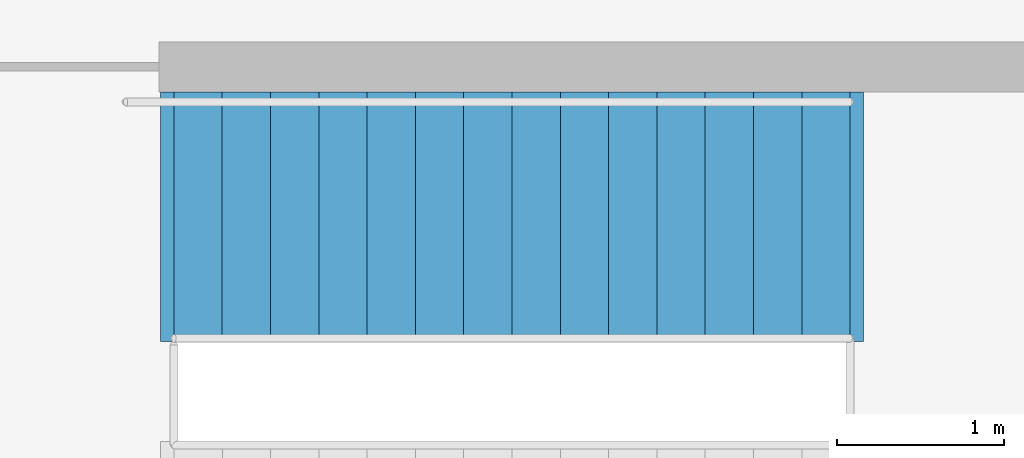
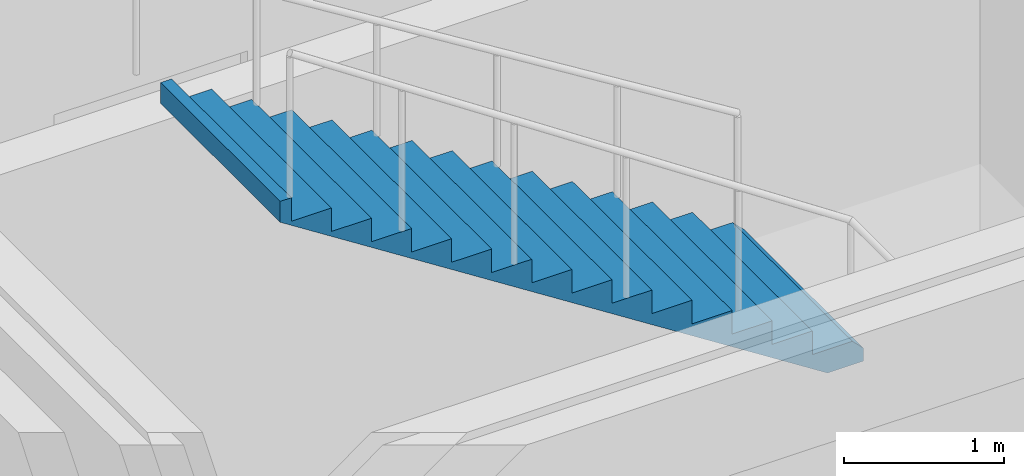
# One storey, part 32 of 36: 1 stair flight, 1 element without a shape of its own.
"""IFC4 building model written with IfcOpenShell, lengths in metres."""

from ifc_helpers import new_model, si_unit, direction, frame, origin, place, context, subcontext, project, spatial, polyline, outline, extrude, material, type_object, element, aggregate, save


model = new_model("IFC4")

# Units and contexts
model_context = context("Model", 3, precision=1e-05, world=origin(), true_north=direction((0.0, 1.0)))
body_context = subcontext(model_context, "Body", "Model", "MODEL_VIEW")
ifc_project = project(units=[si_unit("LENGTHUNIT", "METRE"), si_unit("AREAUNIT", "SQUARE_METRE"), si_unit("VOLUMEUNIT", "CUBIC_METRE"), si_unit("PLANEANGLEUNIT", "RADIAN"), si_unit("MASSUNIT", "GRAM", prefix="KILO")], contexts=[model_context])

# Site, building, storey
site_placement = place(None, origin())
site = spatial("IfcSite", under=ifc_project, at=site_placement, CompositionType="ELEMENT")
building_placement = place(site_placement, origin())
building = spatial("IfcBuilding", under=site, at=building_placement, Name="Vellmiral Cinema and Media Centre", CompositionType="ELEMENT")
storey_placement = place(building_placement, frame((0.0, 0.0, 5.39990234375)))
storey = spatial("IfcBuildingStorey", under=building, at=storey_placement, Name="L01", CompositionType="ELEMENT", Elevation=5.39990234375)

# Stair, stair flight
ifc_material_1 = material(Name="Concrete C40/50", Category="concrete")
stair_type = type_object("IfcStairType", Name="ST-2RET-540", PredefinedType="HALF_TURN_STAIR", material=ifc_material_1)
stair_placement = place(storey_placement, origin())
stair = element("IfcStair", 1, at=stair_placement, inside=storey, type_object=stair_type, Name="Protected Escape Stair ST-T2 (L01)", PredefinedType="HALF_TURN_STAIR")
ifc_material_2 = material(Name="Concrete C40/50", Category="concrete")
stair_flight_type = type_object("IfcStairFlightType", Name="STF-STR-540", PredefinedType="STRAIGHT", material=ifc_material_2)
stair_flight_placement = place(storey_placement, frame((145.909912109375, 90.35009765625, 2.7001953125), z_axis=(0.0, 0.0, 1.0), x_axis=(-1.0, 0.0, 0.0)))
stair_flight = element("IfcStairFlight", 2, at=stair_flight_placement, type_object=stair_flight_type, Name="ST-T2 flight 2", NumberOfRisers=15, NumberOfTreads=14, PredefinedType="STRAIGHT", RiserHeight=0.18, TreadLength=0.29, context=body_context, shape_type="SweptSolid", body=[
    extrude(outline(polyline([(-0.080078125, 0.0), (-0.080078125, 0.10009765625), (0.0, 0.179931640625), (0.2900390625, 0.179931640625), (0.2900390625, 0.360107421875), (0.580078125, 0.360107421875), (0.580078125, 0.5400390625), (0.8701171875, 0.5400390625), (0.8701171875, 0.719970703125), (1.159912109375, 0.719970703125), (1.159912109375, 0.89990234375), (1.449951171875, 0.89990234375), (1.449951171875, 1.080078125), (1.739990234375, 1.080078125), (1.739990234375, 1.260009765625), (2.030029296875, 1.260009765625), (2.030029296875, 1.43994140625), (2.320068359375, 1.43994140625), (2.320068359375, 1.6201171875), (2.610107421875, 1.6201171875), (2.610107421875, 1.800048828125), (2.89990234375, 1.800048828125), (2.89990234375, 1.97998046875), (3.18994140625, 1.97998046875), (3.18994140625, 2.159912109375), (3.47998046875, 2.159912109375), (3.47998046875, 2.340087890625), (3.77001953125, 2.340087890625), (3.77001953125, 2.52001953125), (4.06005859375, 2.52001953125), (4.06005859375, 2.699951171875), (4.14013671875, 2.699951171875), (4.14013671875, 2.5400390625), (0.179931640625, 0.0), (-0.080078125, 0.0)])), frame((0.0, 0.75, 0.0), z_axis=(0.0, -1.0, 0.0), x_axis=(1.0, 0.0, 0.0)), (0.0, 0.0, 1.0), 1.5),
])
aggregate(stair, [stair_flight])

save(model, "model.ifc")
